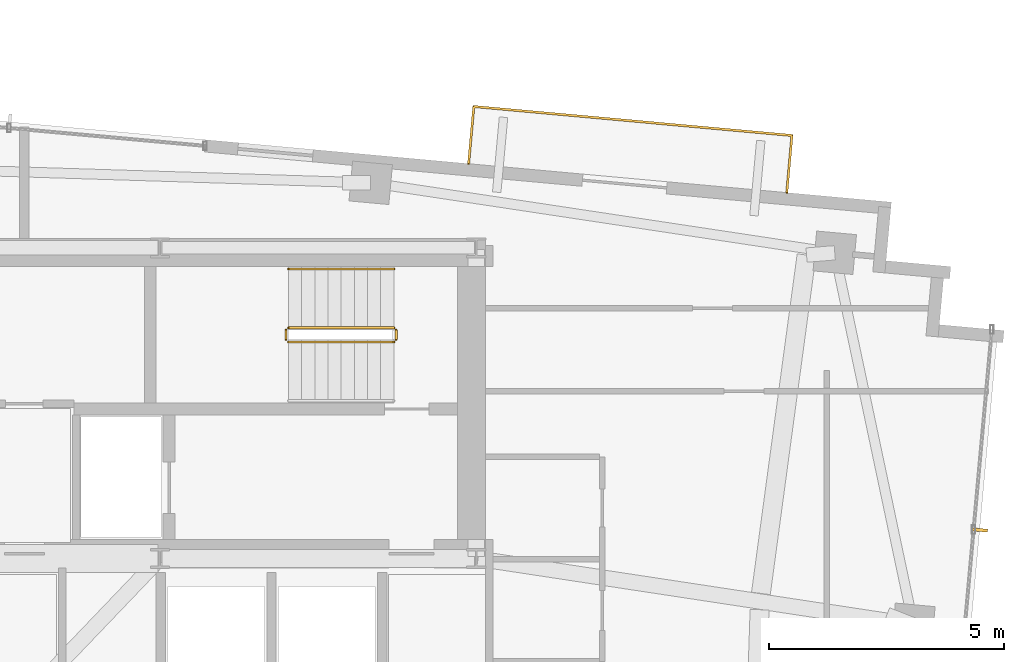
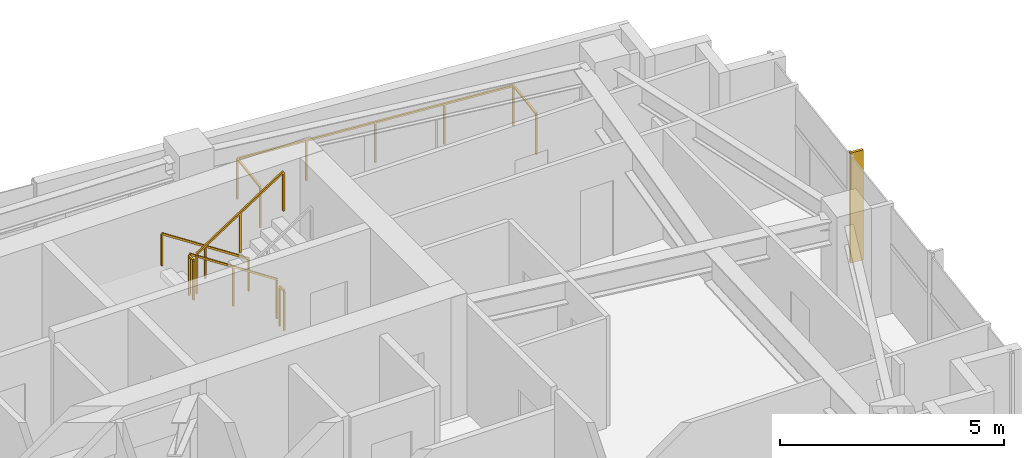
# One storey, part 22 of 22: 6 railings, 1 shading device.
"""IFC4 building model written with IfcOpenShell, lengths in metres."""

from ifc_helpers import new_model, si_unit, direction, frame, origin, origin_2d, place, context, subcontext, project, spatial, rectangle, extrude, source, transform, mapped, material, type_object, type_shapes, element, save


model = new_model("IFC4")

# Units and contexts
model_context = context("Model", 3, precision=1e-05, world=origin(), true_north=direction((0.0, 1.0)))
body_context = subcontext(model_context, "Body", "Model", "MODEL_VIEW")
ifc_project = project(units=[si_unit("LENGTHUNIT", "METRE"), si_unit("AREAUNIT", "SQUARE_METRE"), si_unit("VOLUMEUNIT", "CUBIC_METRE"), si_unit("PLANEANGLEUNIT", "RADIAN"), si_unit("MASSUNIT", "GRAM", prefix="KILO")], contexts=[model_context])

# Site, building, storey
site_placement = place(None, origin())
site = spatial("IfcSite", under=ifc_project, at=site_placement, CompositionType="ELEMENT")
building_placement = place(site_placement, origin())
building = spatial("IfcBuilding", under=site, at=building_placement, Name="Astriad Promenade Condominiums", CompositionType="ELEMENT")
storey_placement = place(building_placement, frame((0.0, 0.0, 256.199951171875)))
storey = spatial("IfcBuildingStorey", under=building, at=storey_placement, Name="L74", CompositionType="ELEMENT", Elevation=256.199951171875)

# Railing
ifc_material_1 = material(Name="Laminated Glass and Stainless Steel Balustrade", Category="steel")
railing_type_1 = type_object("IfcRailingType", Name="GRD-BALC-1120", PredefinedType="BALUSTRADE", material=ifc_material_1)
shared_shape_1 = source(origin(), body_context, "Body", "SweptSolid", [
    extrude(rectangle(XDim=0.048095703125, YDim=0.048095703125, at=origin_2d()), frame((0.0, 0.0, 1.09619140625), z_axis=(0.09066206129, 0.995881715186, 0.0), x_axis=(-0.995881715186, 0.09066206129, 0.0)), (0.0, 0.0, 1.0), 1.219970703125),
    extrude(rectangle(XDim=0.048095703125, YDim=0.048095703125, at=origin_2d()), frame((0.110595703125, 1.21484375, 1.09619140625), z_axis=(-0.995881997721, 0.090658957724, 0.0), x_axis=(-0.090658957724, -0.995881997721, 0.0)), (0.0, 0.0, 1.0), 6.7890625),
    extrude(rectangle(XDim=0.048095703125, YDim=0.048095703125, at=origin_2d()), frame((-6.650390625, 1.830322265625, 1.09619140625), z_axis=(-0.090643994769, -0.995883359743, 0.0), x_axis=(0.995883359743, -0.090643994769, 0.0)), (0.0, 0.0, 1.0), 1.22021484375),
    extrude(rectangle(XDim=0.0419921875, YDim=0.0419921875, at=origin_2d()), origin(), (0.0, 0.0, 1.0), 1.072021484375),
    extrude(rectangle(XDim=0.0419921875, YDim=0.0419921875, at=origin_2d()), frame((0.110595703125, 1.21484375, 0.0)), (0.0, 0.0, 1.0), 1.072021484375),
    extrude(rectangle(XDim=0.0419921875, YDim=0.0419921875, at=origin_2d()), frame((-1.57958984375, 1.36865234375, 0.0)), (0.0, 0.0, 1.0), 1.072021484375),
    extrude(rectangle(XDim=0.0419921875, YDim=0.0419921875, at=origin_2d()), frame((-3.27001953125, 1.5224609375, 0.0)), (0.0, 0.0, 1.0), 1.072021484375),
    extrude(rectangle(XDim=0.0419921875, YDim=0.0419921875, at=origin_2d()), frame((-4.960205078125, 1.676513671875, 0.0)), (0.0, 0.0, 1.0), 1.072021484375),
    extrude(rectangle(XDim=0.0419921875, YDim=0.0419921875, at=origin_2d()), frame((-6.650390625, 1.830322265625, 0.0)), (0.0, 0.0, 1.0), 1.072021484375),
    extrude(rectangle(XDim=0.0419921875, YDim=0.0419921875, at=origin_2d()), frame((-6.760986328125, 0.615234375, 0.0)), (0.0, 0.0, 1.0), 1.072021484375),
])
type_shapes(railing_type_1, [shared_shape_1])
railing_1_placement = place(storey_placement, frame((52.19873046875, 25.17138671875, 0.0)))
element("IfcRailing", 1, at=railing_1_placement, inside=storey, type_object=railing_type_1, Name="GRD-BALC-L74-NE", PredefinedType="BALUSTRADE", context=body_context, shape_type="MappedRepresentation", body=[
    mapped(shared_shape_1, transform((0.0, 0.0, 0.0), scale=1.0)),
])

# Shading device
ifc_material_2 = material(Name="Anodised aluminium 6063-T6 Black Fin", Category="aluminium")
shading_device_type = type_object("IfcShadingDeviceType", Name="FIN-BLACK-260", PredefinedType="USERDEFINED", material=ifc_material_2)
shared_shape_2 = source(origin(), body_context, "Body", "SweptSolid", [
    extrude(rectangle(XDim=0.06494140625, YDim=0.320068359375, at=origin_2d()), origin(), (0.0, 0.0, 1.0), 3.0),
])
type_shapes(shading_device_type, [shared_shape_2])
shading_device_placement = place(storey_placement, frame((56.306884765625, 18.0029296875, 0.0), z_axis=(0.0, 0.0, 1.0), x_axis=(-0.090632580198, -0.995884398616, 0.0)))
element("IfcShadingDevice", 2, at=shading_device_placement, inside=storey, type_object=shading_device_type, Name="CW-L74-E-FIN-01", ObjectType="FIN", PredefinedType="USERDEFINED", context=body_context, shape_type="MappedRepresentation", body=[
    mapped(shared_shape_2, transform((0.0, 0.0, 0.0), scale=1.0)),
])

# Railings
ifc_material_3 = material(Name="Painted Galvanised Steel Guardrail", Category="steel")
railing_type_2 = type_object("IfcRailingType", Name="GRD-STAIR-1100", PredefinedType="GUARDRAIL", material=ifc_material_3)
shared_shape_3 = source(origin(), body_context, "Body", "SweptSolid", [
    extrude(rectangle(XDim=0.048095703125, YDim=0.048095703125, at=origin_2d()), frame((0.0, 0.0, 1.076171875), z_axis=(0.836636935527, 0.0, 0.547757827979), x_axis=(0.0, 1.0, 0.0)), (0.0, 0.0, 1.0), 2.677490234375),
    extrude(rectangle(XDim=0.0419921875, YDim=0.0419921875, at=origin_2d()), origin(), (0.0, 0.0, 1.0), 1.052001953125),
    extrude(rectangle(XDim=0.0419921875, YDim=0.0419921875, at=origin_2d()), frame((1.1201171875, 0.0, 0.7333984375)), (0.0, 0.0, 1.0), 1.052001953125),
    extrude(rectangle(XDim=0.0419921875, YDim=0.0419921875, at=origin_2d()), frame((2.239990234375, 0.0, 1.466552734375)), (0.0, 0.0, 1.0), 1.052001953125),
])
railing_2_placement = place(storey_placement, frame((41.610107421875, 22.0, 1.83349609375)))
element("IfcRailing", 3, at=railing_2_placement, inside=storey, type_object=railing_type_2, Name="L74 ST-2 stair guard 3", PredefinedType="GUARDRAIL", context=body_context, shape_type="MappedRepresentation", body=[
    mapped(shared_shape_3, transform((0.0, 0.0, 0.0), scale=1.0)),
])
shared_shape_4 = source(origin(), body_context, "Body", "SweptSolid", [
    extrude(rectangle(XDim=0.048095703125, YDim=0.048095703125, at=origin_2d()), frame((0.0, 0.0, 1.076171875), z_axis=(-0.836595146698, 0.0, 0.547821650285), x_axis=(0.0, -1.0, 0.0)), (0.0, 0.0, 1.0), 2.677490234375),
    extrude(rectangle(XDim=0.0419921875, YDim=0.0419921875, at=origin_2d()), origin(), (0.0, 0.0, 1.0), 1.052001953125),
    extrude(rectangle(XDim=0.0419921875, YDim=0.0419921875, at=origin_2d()), frame((-1.1201171875, 0.0, 0.7333984375)), (0.0, 0.0, 1.0), 1.052001953125),
    extrude(rectangle(XDim=0.0419921875, YDim=0.0419921875, at=origin_2d()), frame((-2.239990234375, 0.0, 1.466796875)), (0.0, 0.0, 1.0), 1.052001953125),
])
railing_3_placement = place(storey_placement, frame((43.85009765625, 22.300048828125, 0.183349609375)))
element("IfcRailing", 4, at=railing_3_placement, inside=storey, type_object=railing_type_2, Name="L74 ST-2 stair guard 1", PredefinedType="GUARDRAIL", context=body_context, shape_type="MappedRepresentation", body=[
    mapped(shared_shape_4, transform((0.0, 0.0, 0.0), scale=1.0)),
])
ifc_material_4 = material(Name="Brushed Stainless Steel Handrail", Category="steel")
railing_type_3 = type_object("IfcRailingType", Name="HRL-STAIR-920", PredefinedType="HANDRAIL", material=ifc_material_4)
shared_shape_5 = source(origin(), body_context, "Body", "SweptSolid", [
    extrude(rectangle(XDim=0.048095703125, YDim=0.048095703125, at=origin_2d()), frame((0.0, 0.0, 0.8759765625), z_axis=(-0.836595146698, 0.0, 0.547821650285), x_axis=(0.0, -1.0, 0.0)), (0.0, 0.0, 1.0), 2.677490234375),
    extrude(rectangle(XDim=0.0419921875, YDim=0.0419921875, at=origin_2d()), origin(), (0.0, 0.0, 1.0), 0.851806640625),
    extrude(rectangle(XDim=0.0419921875, YDim=0.0419921875, at=origin_2d()), frame((-1.1201171875, 0.0, 0.7333984375)), (0.0, 0.0, 1.0), 0.851806640625),
    extrude(rectangle(XDim=0.0419921875, YDim=0.0419921875, at=origin_2d()), frame((-2.239990234375, 0.0, 1.466796875)), (0.0, 0.0, 1.0), 0.851806640625),
])
type_shapes(railing_type_3, [shared_shape_5])
railing_4_placement = place(storey_placement, frame((43.85009765625, 23.550048828125, 0.183349609375)))
element("IfcRailing", 5, at=railing_4_placement, inside=storey, type_object=railing_type_3, Name="L74 ST-2 stair handrail 1", PredefinedType="HANDRAIL", context=body_context, shape_type="MappedRepresentation", body=[
    mapped(shared_shape_5, transform((0.0, 0.0, 0.0), scale=1.0)),
])
shared_shape_6 = source(origin(), body_context, "Body", "SweptSolid", [
    extrude(rectangle(XDim=0.048095703125, YDim=0.048095703125, at=origin_2d()), frame((0.0, 0.0, 1.076171875), z_axis=(0.0, -1.0, 0.0), x_axis=(1.0, 0.0, 0.0)), (0.0, 0.0, 1.0), 0.199951171875),
    extrude(rectangle(XDim=0.0419921875, YDim=0.0419921875, at=origin_2d()), origin(), (0.0, 0.0, 1.0), 1.052001953125),
    extrude(rectangle(XDim=0.0419921875, YDim=0.0419921875, at=origin_2d()), frame((0.0, -0.199951171875, 0.0)), (0.0, 0.0, 1.0), 1.052001953125),
])
type_shapes(railing_type_2, [shared_shape_3, shared_shape_4, shared_shape_6])
for number, where, name in (
    (6, (41.56005859375, 22.25, 1.650146484375), "L74 ST-2 stair guard 2"),
    (7, (43.89990234375, 22.25, 0.0), "L74 ST-2 stair guard 4"),
):
    element("IfcRailing", number, at=place(storey_placement, frame(where)), inside=storey, type_object=railing_type_2, Name=name, PredefinedType="GUARDRAIL", context=body_context, shape_type="MappedRepresentation", body=[
        mapped(shared_shape_6, transform((0.0, 0.0, 0.0), scale=1.0)),
    ])

save(model, "model.ifc")
